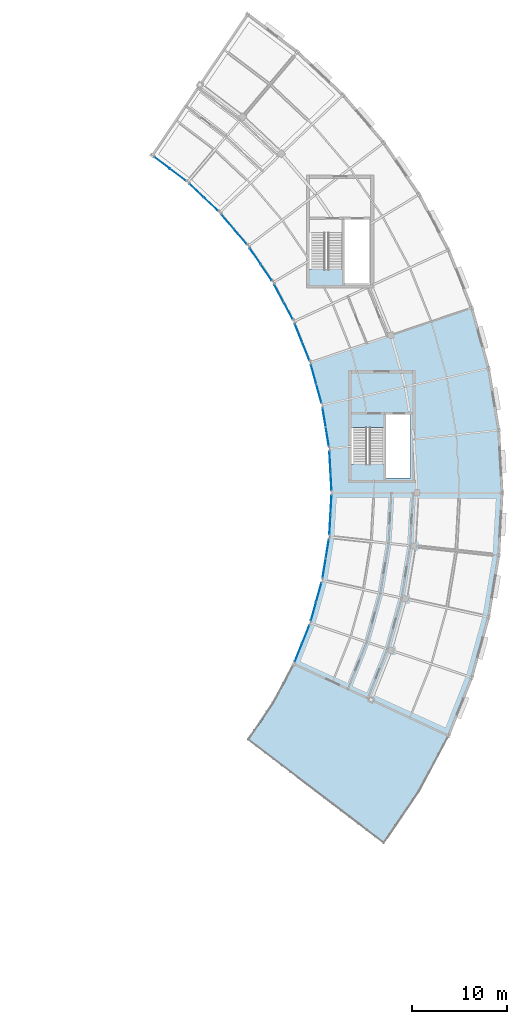
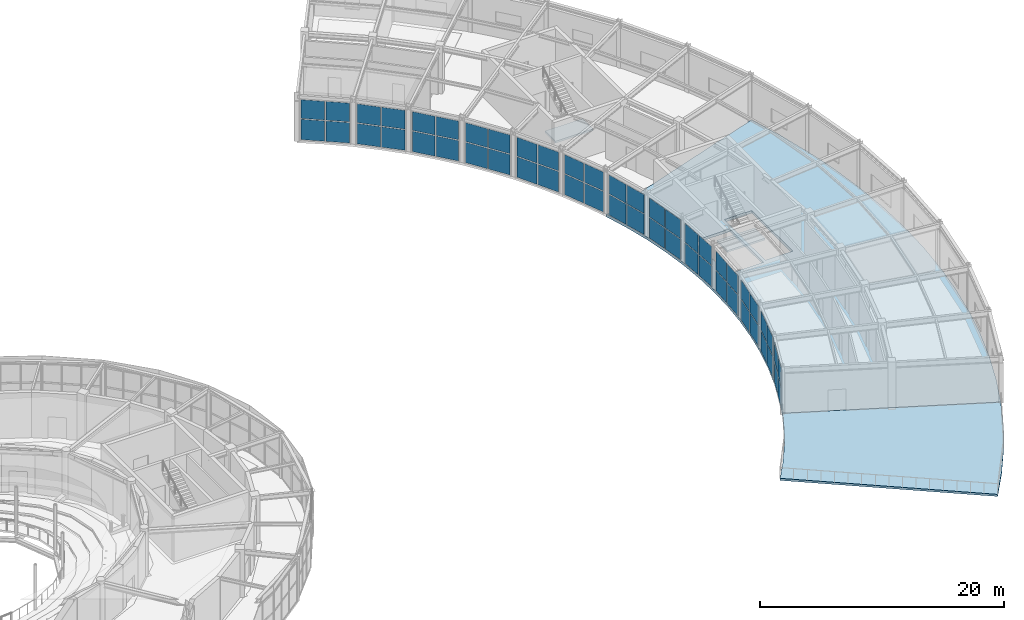
# One storey, part 84 of 108: 52 plates, 4 slabs, 15 elements without a shape of their own.
"""IFC4 building model written with IfcOpenShell, lengths in metres."""

from ifc_helpers import new_model, si_unit, direction, frame, origin, origin_2d, place, context, subcontext, project, spatial, polyline, rectangle, outline, extrude, material, layer, layer_set, type_object, element, aggregate, save


model = new_model("IFC4")

# Units and contexts
model_context = context("Model", 3, precision=1e-05, world=origin(), true_north=direction((0.0, 1.0)))
body_context = subcontext(model_context, "Body", "Model", "MODEL_VIEW")
ifc_project = project(units=[si_unit("LENGTHUNIT", "METRE"), si_unit("AREAUNIT", "SQUARE_METRE"), si_unit("VOLUMEUNIT", "CUBIC_METRE"), si_unit("PLANEANGLEUNIT", "RADIAN"), si_unit("MASSUNIT", "GRAM", prefix="KILO")], contexts=[model_context])

# Site, building, storey
site_placement = place(None, origin())
site = spatial("IfcSite", under=ifc_project, at=site_placement, CompositionType="ELEMENT")
building_placement = place(site_placement, origin())
building = spatial("IfcBuilding", under=site, at=building_placement, Name="Tarnveldt Headland Concert Hall", CompositionType="ELEMENT")
storey_placement = place(building_placement, frame((0.0, 0.0, 9.60009765625)))
storey = spatial("IfcBuildingStorey", under=building, at=storey_placement, Name="L02", CompositionType="ELEMENT", Elevation=9.60009765625)

# Curtain wall, plates
ifc_material_1 = material(Name="Marine-anodised aluminium EN AW-6063-T6", Category="aluminium")
curtain_wall_type = type_object("IfcCurtainWallType", Name="CW-C3", PredefinedType="NOTDEFINED", material=ifc_material_1)
curtain_wall_1_placement = place(storey_placement, origin())
curtain_wall_1 = element("IfcCurtainWall", 1, at=curtain_wall_1_placement, inside=storey, type_object=curtain_wall_type, Name="Curtain wall CW-L02-123", PredefinedType="NOTDEFINED")
ifc_material_2 = material(Name="Acoustic laminated low-iron double glazing", Category="glass")
ifc_layer_1 = layer(ifc_material_2, 0.02392578125, Name="Acoustic laminated low-iron double glazing", Category="glass")
ifc_layer_set_1 = layer_set([ifc_layer_1], Name="Acoustic laminated low-iron double glazing")
plate_type = type_object("IfcPlateType", Name="PN-C3", PredefinedType="CURTAIN_PANEL", material=ifc_layer_set_1)
plate_1_placement = place(storey_placement, frame((156.988525390625, 43.109619140625, 0.08984375), z_axis=(0.0, 0.0, 1.0), x_axis=(0.371027502784, 0.928621877934, 0.0)))
plate_1 = element("IfcPlate", 2, at=plate_1_placement, type_object=plate_type, Name="Glazed panel CW-L02-123-1-1", PredefinedType="CURTAIN_PANEL", context=body_context, shape_type="SweptSolid", body=[
    extrude(rectangle(XDim=1.964599609375, YDim=0.02392578125, at=origin_2d()), origin(), (0.0, 0.0, 1.0), 2.048828125),
])
plate_2_placement = place(storey_placement, frame((156.988525390625, 43.109619140625, 2.21875), z_axis=(0.0, 0.0, 1.0), x_axis=(0.371027502784, 0.928621877934, 0.0)))
plate_2 = element("IfcPlate", 3, at=plate_2_placement, type_object=plate_type, Name="Glazed panel CW-L02-123-1-2", PredefinedType="CURTAIN_PANEL", context=body_context, shape_type="SweptSolid", body=[
    extrude(rectangle(XDim=1.964599609375, YDim=0.02392578125, at=origin_2d()), origin(), (0.0, 0.0, 1.0), 1.881103515625),
])
plate_3_placement = place(storey_placement, frame((157.756103515625, 45.03076171875, 0.08984375), z_axis=(0.0, 0.0, 1.0), x_axis=(0.371027502784, 0.928621877934, 0.0)))
plate_3 = element("IfcPlate", 4, at=plate_3_placement, type_object=plate_type, Name="Glazed panel CW-L02-123-2-1", PredefinedType="CURTAIN_PANEL", context=body_context, shape_type="SweptSolid", body=[
    extrude(rectangle(XDim=1.964599609375, YDim=0.02392578125, at=origin_2d()), origin(), (0.0, 0.0, 1.0), 2.048828125),
])
plate_4_placement = place(storey_placement, frame((157.756103515625, 45.03076171875, 2.21875), z_axis=(0.0, 0.0, 1.0), x_axis=(0.371027502784, 0.928621877934, 0.0)))
plate_4 = element("IfcPlate", 5, at=plate_4_placement, type_object=plate_type, Name="Glazed panel CW-L02-123-2-2", PredefinedType="CURTAIN_PANEL", context=body_context, shape_type="SweptSolid", body=[
    extrude(rectangle(XDim=1.964599609375, YDim=0.02392578125, at=origin_2d()), origin(), (0.0, 0.0, 1.0), 1.881103515625),
])
aggregate(curtain_wall_1, [plate_1, plate_2, plate_3, plate_4])

curtain_wall_2_placement = place(storey_placement, origin())
curtain_wall_2 = element("IfcCurtainWall", 6, at=curtain_wall_2_placement, inside=storey, type_object=curtain_wall_type, Name="Curtain wall CW-L02-124", PredefinedType="NOTDEFINED")
plate_5_placement = place(storey_placement, frame((158.58642578125, 47.489013671875, 0.08984375), z_axis=(0.0, 0.0, 1.0), x_axis=(0.26814645756, 0.963378159031, 0.0)))
plate_5 = element("IfcPlate", 7, at=plate_5_placement, type_object=plate_type, Name="Glazed panel CW-L02-124-1-1", PredefinedType="CURTAIN_PANEL", context=body_context, shape_type="SweptSolid", body=[
    extrude(rectangle(XDim=1.964599609375, YDim=0.02392578125, at=origin_2d()), origin(), (0.0, 0.0, 1.0), 2.048828125),
])
plate_6_placement = place(storey_placement, frame((158.58642578125, 47.489013671875, 2.21875), z_axis=(0.0, 0.0, 1.0), x_axis=(0.26814645756, 0.963378159031, 0.0)))
plate_6 = element("IfcPlate", 8, at=plate_6_placement, type_object=plate_type, Name="Glazed panel CW-L02-124-1-2", PredefinedType="CURTAIN_PANEL", context=body_context, shape_type="SweptSolid", body=[
    extrude(rectangle(XDim=1.964599609375, YDim=0.02392578125, at=origin_2d()), origin(), (0.0, 0.0, 1.0), 1.881103515625),
])
plate_7_placement = place(storey_placement, frame((159.141357421875, 49.48193359375, 0.08984375), z_axis=(0.0, 0.0, 1.0), x_axis=(0.26814645756, 0.963378159031, 0.0)))
plate_7 = element("IfcPlate", 9, at=plate_7_placement, type_object=plate_type, Name="Glazed panel CW-L02-124-2-1", PredefinedType="CURTAIN_PANEL", context=body_context, shape_type="SweptSolid", body=[
    extrude(rectangle(XDim=1.964599609375, YDim=0.02392578125, at=origin_2d()), origin(), (0.0, 0.0, 1.0), 2.048828125),
])
plate_8_placement = place(storey_placement, frame((159.141357421875, 49.48193359375, 2.21875), z_axis=(0.0, 0.0, 1.0), x_axis=(0.26814645756, 0.963378159031, 0.0)))
plate_8 = element("IfcPlate", 10, at=plate_8_placement, type_object=plate_type, Name="Glazed panel CW-L02-124-2-2", PredefinedType="CURTAIN_PANEL", context=body_context, shape_type="SweptSolid", body=[
    extrude(rectangle(XDim=1.964599609375, YDim=0.02392578125, at=origin_2d()), origin(), (0.0, 0.0, 1.0), 1.881103515625),
])
aggregate(curtain_wall_2, [plate_5, plate_6, plate_7, plate_8])

curtain_wall_3_placement = place(storey_placement, origin())
curtain_wall_3 = element("IfcCurtainWall", 11, at=curtain_wall_3_placement, inside=storey, type_object=curtain_wall_type, Name="Curtain wall CW-L02-125", PredefinedType="NOTDEFINED")
plate_9_placement = place(storey_placement, frame((159.700439453125, 52.01611328125, 0.08984375), z_axis=(0.0, 0.0, 1.0), x_axis=(0.162172182357, 0.986762475609, 0.0)))
plate_9 = element("IfcPlate", 12, at=plate_9_placement, type_object=plate_type, Name="Glazed panel CW-L02-125-1-1", PredefinedType="CURTAIN_PANEL", context=body_context, shape_type="SweptSolid", body=[
    extrude(rectangle(XDim=1.964599609375, YDim=0.02392578125, at=origin_2d()), origin(), (0.0, 0.0, 1.0), 2.048828125),
])
plate_10_placement = place(storey_placement, frame((159.700439453125, 52.01611328125, 2.21875), z_axis=(0.0, 0.0, 1.0), x_axis=(0.162172182357, 0.986762475609, 0.0)))
plate_10 = element("IfcPlate", 13, at=plate_10_placement, type_object=plate_type, Name="Glazed panel CW-L02-125-1-2", PredefinedType="CURTAIN_PANEL", context=body_context, shape_type="SweptSolid", body=[
    extrude(rectangle(XDim=1.964599609375, YDim=0.02392578125, at=origin_2d()), origin(), (0.0, 0.0, 1.0), 1.881103515625),
])
plate_11_placement = place(storey_placement, frame((160.035888671875, 54.05712890625, 0.08984375), z_axis=(0.0, 0.0, 1.0), x_axis=(0.162172182357, 0.986762475609, 0.0)))
plate_11 = element("IfcPlate", 14, at=plate_11_placement, type_object=plate_type, Name="Glazed panel CW-L02-125-2-1", PredefinedType="CURTAIN_PANEL", context=body_context, shape_type="SweptSolid", body=[
    extrude(rectangle(XDim=1.964599609375, YDim=0.02392578125, at=origin_2d()), origin(), (0.0, 0.0, 1.0), 2.048828125),
])
plate_12_placement = place(storey_placement, frame((160.035888671875, 54.05712890625, 2.21875), z_axis=(0.0, 0.0, 1.0), x_axis=(0.162172182357, 0.986762475609, 0.0)))
plate_12 = element("IfcPlate", 15, at=plate_12_placement, type_object=plate_type, Name="Glazed panel CW-L02-125-2-2", PredefinedType="CURTAIN_PANEL", context=body_context, shape_type="SweptSolid", body=[
    extrude(rectangle(XDim=1.964599609375, YDim=0.02392578125, at=origin_2d()), origin(), (0.0, 0.0, 1.0), 1.881103515625),
])
aggregate(curtain_wall_3, [plate_9, plate_10, plate_11, plate_12])

curtain_wall_4_placement = place(storey_placement, origin())
curtain_wall_4 = element("IfcCurtainWall", 16, at=curtain_wall_4_placement, inside=storey, type_object=curtain_wall_type, Name="Curtain wall CW-L02-126", PredefinedType="NOTDEFINED")
plate_13_placement = place(storey_placement, frame((160.317138671875, 56.63671875, 0.08984375), z_axis=(0.0, 0.0, 1.0), x_axis=(0.054253089686, 0.998527216584, 0.0)))
plate_13 = element("IfcPlate", 17, at=plate_13_placement, type_object=plate_type, Name="Glazed panel CW-L02-126-1-1", PredefinedType="CURTAIN_PANEL", context=body_context, shape_type="SweptSolid", body=[
    extrude(rectangle(XDim=1.964599609375, YDim=0.02392578125, at=origin_2d()), origin(), (0.0, 0.0, 1.0), 2.048828125),
])
plate_14_placement = place(storey_placement, frame((160.317138671875, 56.63671875, 2.21875), z_axis=(0.0, 0.0, 1.0), x_axis=(0.054253089686, 0.998527216584, 0.0)))
plate_14 = element("IfcPlate", 18, at=plate_14_placement, type_object=plate_type, Name="Glazed panel CW-L02-126-1-2", PredefinedType="CURTAIN_PANEL", context=body_context, shape_type="SweptSolid", body=[
    extrude(rectangle(XDim=1.964599609375, YDim=0.02392578125, at=origin_2d()), origin(), (0.0, 0.0, 1.0), 1.881103515625),
])
plate_15_placement = place(storey_placement, frame((160.429443359375, 58.70263671875, 0.08984375), z_axis=(0.0, 0.0, 1.0), x_axis=(0.054253089686, 0.998527216584, 0.0)))
plate_15 = element("IfcPlate", 19, at=plate_15_placement, type_object=plate_type, Name="Glazed panel CW-L02-126-2-1", PredefinedType="CURTAIN_PANEL", context=body_context, shape_type="SweptSolid", body=[
    extrude(rectangle(XDim=1.964599609375, YDim=0.02392578125, at=origin_2d()), origin(), (0.0, 0.0, 1.0), 2.048828125),
])
plate_16_placement = place(storey_placement, frame((160.429443359375, 58.70263671875, 2.21875), z_axis=(0.0, 0.0, 1.0), x_axis=(0.054253089686, 0.998527216584, 0.0)))
plate_16 = element("IfcPlate", 20, at=plate_16_placement, type_object=plate_type, Name="Glazed panel CW-L02-126-2-2", PredefinedType="CURTAIN_PANEL", context=body_context, shape_type="SweptSolid", body=[
    extrude(rectangle(XDim=1.964599609375, YDim=0.02392578125, at=origin_2d()), origin(), (0.0, 0.0, 1.0), 1.881103515625),
])
aggregate(curtain_wall_4, [plate_13, plate_14, plate_15, plate_16])

curtain_wall_5_placement = place(storey_placement, origin())
curtain_wall_5 = element("IfcCurtainWall", 21, at=curtain_wall_5_placement, inside=storey, type_object=curtain_wall_type, Name="Curtain wall CW-L02-127", PredefinedType="NOTDEFINED")
plate_17_placement = place(storey_placement, frame((160.429443359375, 61.29736328125, 0.08984375), z_axis=(0.0, 0.0, 1.0), x_axis=(-0.054253089686, 0.998527216584, 0.0)))
plate_17 = element("IfcPlate", 22, at=plate_17_placement, type_object=plate_type, Name="Glazed panel CW-L02-127-1-1", PredefinedType="CURTAIN_PANEL", context=body_context, shape_type="SweptSolid", body=[
    extrude(rectangle(XDim=1.964599609375, YDim=0.02392578125, at=origin_2d()), origin(), (0.0, 0.0, 1.0), 2.048828125),
])
plate_18_placement = place(storey_placement, frame((160.429443359375, 61.29736328125, 2.21875), z_axis=(0.0, 0.0, 1.0), x_axis=(-0.054253089686, 0.998527216584, 0.0)))
plate_18 = element("IfcPlate", 23, at=plate_18_placement, type_object=plate_type, Name="Glazed panel CW-L02-127-1-2", PredefinedType="CURTAIN_PANEL", context=body_context, shape_type="SweptSolid", body=[
    extrude(rectangle(XDim=1.964599609375, YDim=0.02392578125, at=origin_2d()), origin(), (0.0, 0.0, 1.0), 1.881103515625),
])
plate_19_placement = place(storey_placement, frame((160.317138671875, 63.36328125, 0.08984375), z_axis=(0.0, 0.0, 1.0), x_axis=(-0.054253089686, 0.998527216584, 0.0)))
plate_19 = element("IfcPlate", 24, at=plate_19_placement, type_object=plate_type, Name="Glazed panel CW-L02-127-2-1", PredefinedType="CURTAIN_PANEL", context=body_context, shape_type="SweptSolid", body=[
    extrude(rectangle(XDim=1.964599609375, YDim=0.02392578125, at=origin_2d()), origin(), (0.0, 0.0, 1.0), 2.048828125),
])
plate_20_placement = place(storey_placement, frame((160.317138671875, 63.36328125, 2.21875), z_axis=(0.0, 0.0, 1.0), x_axis=(-0.054253089686, 0.998527216584, 0.0)))
plate_20 = element("IfcPlate", 25, at=plate_20_placement, type_object=plate_type, Name="Glazed panel CW-L02-127-2-2", PredefinedType="CURTAIN_PANEL", context=body_context, shape_type="SweptSolid", body=[
    extrude(rectangle(XDim=1.964599609375, YDim=0.02392578125, at=origin_2d()), origin(), (0.0, 0.0, 1.0), 1.881103515625),
])
aggregate(curtain_wall_5, [plate_17, plate_18, plate_19, plate_20])

curtain_wall_6_placement = place(storey_placement, origin())
curtain_wall_6 = element("IfcCurtainWall", 26, at=curtain_wall_6_placement, inside=storey, type_object=curtain_wall_type, Name="Curtain wall CW-L02-128", PredefinedType="NOTDEFINED")
plate_21_placement = place(storey_placement, frame((160.035888671875, 65.94287109375, 0.08984375), z_axis=(0.0, 0.0, 1.0), x_axis=(-0.162172182357, 0.986762475609, 0.0)))
plate_21 = element("IfcPlate", 27, at=plate_21_placement, type_object=plate_type, Name="Glazed panel CW-L02-128-1-1", PredefinedType="CURTAIN_PANEL", context=body_context, shape_type="SweptSolid", body=[
    extrude(rectangle(XDim=1.964599609375, YDim=0.02392578125, at=origin_2d()), origin(), (0.0, 0.0, 1.0), 2.048828125),
])
plate_22_placement = place(storey_placement, frame((160.035888671875, 65.94287109375, 2.21875), z_axis=(0.0, 0.0, 1.0), x_axis=(-0.162172182357, 0.986762475609, 0.0)))
plate_22 = element("IfcPlate", 28, at=plate_22_placement, type_object=plate_type, Name="Glazed panel CW-L02-128-1-2", PredefinedType="CURTAIN_PANEL", context=body_context, shape_type="SweptSolid", body=[
    extrude(rectangle(XDim=1.964599609375, YDim=0.02392578125, at=origin_2d()), origin(), (0.0, 0.0, 1.0), 1.881103515625),
])
plate_23_placement = place(storey_placement, frame((159.700439453125, 67.98388671875, 0.08984375), z_axis=(0.0, 0.0, 1.0), x_axis=(-0.162172182357, 0.986762475609, 0.0)))
plate_23 = element("IfcPlate", 29, at=plate_23_placement, type_object=plate_type, Name="Glazed panel CW-L02-128-2-1", PredefinedType="CURTAIN_PANEL", context=body_context, shape_type="SweptSolid", body=[
    extrude(rectangle(XDim=1.964599609375, YDim=0.02392578125, at=origin_2d()), origin(), (0.0, 0.0, 1.0), 2.048828125),
])
plate_24_placement = place(storey_placement, frame((159.700439453125, 67.98388671875, 2.21875), z_axis=(0.0, 0.0, 1.0), x_axis=(-0.162172182357, 0.986762475609, 0.0)))
plate_24 = element("IfcPlate", 30, at=plate_24_placement, type_object=plate_type, Name="Glazed panel CW-L02-128-2-2", PredefinedType="CURTAIN_PANEL", context=body_context, shape_type="SweptSolid", body=[
    extrude(rectangle(XDim=1.964599609375, YDim=0.02392578125, at=origin_2d()), origin(), (0.0, 0.0, 1.0), 1.881103515625),
])
aggregate(curtain_wall_6, [plate_21, plate_22, plate_23, plate_24])

curtain_wall_7_placement = place(storey_placement, origin())
curtain_wall_7 = element("IfcCurtainWall", 31, at=curtain_wall_7_placement, inside=storey, type_object=curtain_wall_type, Name="Curtain wall CW-L02-129", PredefinedType="NOTDEFINED")
plate_25_placement = place(storey_placement, frame((159.141357421875, 70.51806640625, 0.08984375), z_axis=(0.0, 0.0, 1.0), x_axis=(-0.26814645756, 0.963378159031, 0.0)))
plate_25 = element("IfcPlate", 32, at=plate_25_placement, type_object=plate_type, Name="Glazed panel CW-L02-129-1-1", PredefinedType="CURTAIN_PANEL", context=body_context, shape_type="SweptSolid", body=[
    extrude(rectangle(XDim=1.964599609375, YDim=0.02392578125, at=origin_2d()), origin(), (0.0, 0.0, 1.0), 2.048828125),
])
plate_26_placement = place(storey_placement, frame((159.141357421875, 70.51806640625, 2.21875), z_axis=(0.0, 0.0, 1.0), x_axis=(-0.26814645756, 0.963378159031, 0.0)))
plate_26 = element("IfcPlate", 33, at=plate_26_placement, type_object=plate_type, Name="Glazed panel CW-L02-129-1-2", PredefinedType="CURTAIN_PANEL", context=body_context, shape_type="SweptSolid", body=[
    extrude(rectangle(XDim=1.964599609375, YDim=0.02392578125, at=origin_2d()), origin(), (0.0, 0.0, 1.0), 1.881103515625),
])
plate_27_placement = place(storey_placement, frame((158.58642578125, 72.510986328125, 0.08984375), z_axis=(0.0, 0.0, 1.0), x_axis=(-0.26814645756, 0.963378159031, 0.0)))
plate_27 = element("IfcPlate", 34, at=plate_27_placement, type_object=plate_type, Name="Glazed panel CW-L02-129-2-1", PredefinedType="CURTAIN_PANEL", context=body_context, shape_type="SweptSolid", body=[
    extrude(rectangle(XDim=1.964599609375, YDim=0.02392578125, at=origin_2d()), origin(), (0.0, 0.0, 1.0), 2.048828125),
])
plate_28_placement = place(storey_placement, frame((158.58642578125, 72.510986328125, 2.21875), z_axis=(0.0, 0.0, 1.0), x_axis=(-0.26814645756, 0.963378159031, 0.0)))
plate_28 = element("IfcPlate", 35, at=plate_28_placement, type_object=plate_type, Name="Glazed panel CW-L02-129-2-2", PredefinedType="CURTAIN_PANEL", context=body_context, shape_type="SweptSolid", body=[
    extrude(rectangle(XDim=1.964599609375, YDim=0.02392578125, at=origin_2d()), origin(), (0.0, 0.0, 1.0), 1.881103515625),
])
aggregate(curtain_wall_7, [plate_25, plate_26, plate_27, plate_28])

curtain_wall_8_placement = place(storey_placement, origin())
curtain_wall_8 = element("IfcCurtainWall", 36, at=curtain_wall_8_placement, inside=storey, type_object=curtain_wall_type, Name="Curtain wall CW-L02-130", PredefinedType="NOTDEFINED")
plate_29_placement = place(storey_placement, frame((157.756103515625, 74.96923828125, 0.08984375), z_axis=(0.0, 0.0, 1.0), x_axis=(-0.371027502784, 0.928621877934, 0.0)))
plate_29 = element("IfcPlate", 37, at=plate_29_placement, type_object=plate_type, Name="Glazed panel CW-L02-130-1-1", PredefinedType="CURTAIN_PANEL", context=body_context, shape_type="SweptSolid", body=[
    extrude(rectangle(XDim=1.964599609375, YDim=0.02392578125, at=origin_2d()), origin(), (0.0, 0.0, 1.0), 2.048828125),
])
plate_30_placement = place(storey_placement, frame((157.756103515625, 74.96923828125, 2.21875), z_axis=(0.0, 0.0, 1.0), x_axis=(-0.371027502784, 0.928621877934, 0.0)))
plate_30 = element("IfcPlate", 38, at=plate_30_placement, type_object=plate_type, Name="Glazed panel CW-L02-130-1-2", PredefinedType="CURTAIN_PANEL", context=body_context, shape_type="SweptSolid", body=[
    extrude(rectangle(XDim=1.964599609375, YDim=0.02392578125, at=origin_2d()), origin(), (0.0, 0.0, 1.0), 1.881103515625),
])
plate_31_placement = place(storey_placement, frame((156.988525390625, 76.890380859375, 0.08984375), z_axis=(0.0, 0.0, 1.0), x_axis=(-0.371027502784, 0.928621877934, 0.0)))
plate_31 = element("IfcPlate", 39, at=plate_31_placement, type_object=plate_type, Name="Glazed panel CW-L02-130-2-1", PredefinedType="CURTAIN_PANEL", context=body_context, shape_type="SweptSolid", body=[
    extrude(rectangle(XDim=1.964599609375, YDim=0.02392578125, at=origin_2d()), origin(), (0.0, 0.0, 1.0), 2.048828125),
])
plate_32_placement = place(storey_placement, frame((156.988525390625, 76.890380859375, 2.21875), z_axis=(0.0, 0.0, 1.0), x_axis=(-0.371027502784, 0.928621877934, 0.0)))
plate_32 = element("IfcPlate", 40, at=plate_32_placement, type_object=plate_type, Name="Glazed panel CW-L02-130-2-2", PredefinedType="CURTAIN_PANEL", context=body_context, shape_type="SweptSolid", body=[
    extrude(rectangle(XDim=1.964599609375, YDim=0.02392578125, at=origin_2d()), origin(), (0.0, 0.0, 1.0), 1.881103515625),
])
aggregate(curtain_wall_8, [plate_29, plate_30, plate_31, plate_32])

curtain_wall_9_placement = place(storey_placement, origin())
curtain_wall_9 = element("IfcCurtainWall", 41, at=curtain_wall_9_placement, inside=storey, type_object=curtain_wall_type, Name="Curtain wall CW-L02-131", PredefinedType="NOTDEFINED")
plate_33_placement = place(storey_placement, frame((155.896484375, 79.244384765625, 0.08984375), z_axis=(0.0, 0.0, 1.0), x_axis=(-0.469471562786, 0.882947592859, 0.0)))
plate_33 = element("IfcPlate", 42, at=plate_33_placement, type_object=plate_type, Name="Glazed panel CW-L02-131-1-1", PredefinedType="CURTAIN_PANEL", context=body_context, shape_type="SweptSolid", body=[
    extrude(rectangle(XDim=1.964599609375, YDim=0.02392578125, at=origin_2d()), origin(), (0.0, 0.0, 1.0), 2.048828125),
])
plate_34_placement = place(storey_placement, frame((155.896484375, 79.244384765625, 2.21875), z_axis=(0.0, 0.0, 1.0), x_axis=(-0.469471562786, 0.882947592859, 0.0)))
plate_34 = element("IfcPlate", 43, at=plate_34_placement, type_object=plate_type, Name="Glazed panel CW-L02-131-1-2", PredefinedType="CURTAIN_PANEL", context=body_context, shape_type="SweptSolid", body=[
    extrude(rectangle(XDim=1.964599609375, YDim=0.02392578125, at=origin_2d()), origin(), (0.0, 0.0, 1.0), 1.881103515625),
])
plate_35_placement = place(storey_placement, frame((154.92529296875, 81.07080078125, 0.08984375), z_axis=(0.0, 0.0, 1.0), x_axis=(-0.469471562786, 0.882947592859, 0.0)))
plate_35 = element("IfcPlate", 44, at=plate_35_placement, type_object=plate_type, Name="Glazed panel CW-L02-131-2-1", PredefinedType="CURTAIN_PANEL", context=body_context, shape_type="SweptSolid", body=[
    extrude(rectangle(XDim=1.964599609375, YDim=0.02392578125, at=origin_2d()), origin(), (0.0, 0.0, 1.0), 2.048828125),
])
plate_36_placement = place(storey_placement, frame((154.92529296875, 81.07080078125, 2.21875), z_axis=(0.0, 0.0, 1.0), x_axis=(-0.469471562786, 0.882947592859, 0.0)))
plate_36 = element("IfcPlate", 45, at=plate_36_placement, type_object=plate_type, Name="Glazed panel CW-L02-131-2-2", PredefinedType="CURTAIN_PANEL", context=body_context, shape_type="SweptSolid", body=[
    extrude(rectangle(XDim=1.964599609375, YDim=0.02392578125, at=origin_2d()), origin(), (0.0, 0.0, 1.0), 1.881103515625),
])
aggregate(curtain_wall_9, [plate_33, plate_34, plate_35, plate_36])

curtain_wall_10_placement = place(storey_placement, origin())
curtain_wall_10 = element("IfcCurtainWall", 46, at=curtain_wall_10_placement, inside=storey, type_object=curtain_wall_type, Name="Curtain wall CW-L02-132", PredefinedType="NOTDEFINED")
plate_37_placement = place(storey_placement, frame((153.58447265625, 83.29248046875, 0.08984375), z_axis=(0.0, 0.0, 1.0), x_axis=(-0.562415343977, 0.826854872913, 0.0)))
plate_37 = element("IfcPlate", 47, at=plate_37_placement, type_object=plate_type, Name="Glazed panel CW-L02-132-1-1", PredefinedType="CURTAIN_PANEL", context=body_context, shape_type="SweptSolid", body=[
    extrude(rectangle(XDim=1.964599609375, YDim=0.02392578125, at=origin_2d()), origin(), (0.0, 0.0, 1.0), 2.048828125),
])
plate_38_placement = place(storey_placement, frame((153.58447265625, 83.29248046875, 2.21875), z_axis=(0.0, 0.0, 1.0), x_axis=(-0.562415343977, 0.826854872913, 0.0)))
plate_38 = element("IfcPlate", 48, at=plate_38_placement, type_object=plate_type, Name="Glazed panel CW-L02-132-1-2", PredefinedType="CURTAIN_PANEL", context=body_context, shape_type="SweptSolid", body=[
    extrude(rectangle(XDim=1.964599609375, YDim=0.02392578125, at=origin_2d()), origin(), (0.0, 0.0, 1.0), 1.881103515625),
])
plate_39_placement = place(storey_placement, frame((152.4208984375, 85.0029296875, 0.08984375), z_axis=(0.0, 0.0, 1.0), x_axis=(-0.562415343977, 0.826854872913, 0.0)))
plate_39 = element("IfcPlate", 49, at=plate_39_placement, type_object=plate_type, Name="Glazed panel CW-L02-132-2-1", PredefinedType="CURTAIN_PANEL", context=body_context, shape_type="SweptSolid", body=[
    extrude(rectangle(XDim=1.964599609375, YDim=0.02392578125, at=origin_2d()), origin(), (0.0, 0.0, 1.0), 2.048828125),
])
plate_40_placement = place(storey_placement, frame((152.4208984375, 85.0029296875, 2.21875), z_axis=(0.0, 0.0, 1.0), x_axis=(-0.562415343977, 0.826854872913, 0.0)))
plate_40 = element("IfcPlate", 50, at=plate_40_placement, type_object=plate_type, Name="Glazed panel CW-L02-132-2-2", PredefinedType="CURTAIN_PANEL", context=body_context, shape_type="SweptSolid", body=[
    extrude(rectangle(XDim=1.964599609375, YDim=0.02392578125, at=origin_2d()), origin(), (0.0, 0.0, 1.0), 1.881103515625),
])
aggregate(curtain_wall_10, [plate_37, plate_38, plate_39, plate_40])

curtain_wall_11_placement = place(storey_placement, origin())
curtain_wall_11 = element("IfcCurtainWall", 51, at=curtain_wall_11_placement, inside=storey, type_object=curtain_wall_type, Name="Curtain wall CW-L02-133", PredefinedType="NOTDEFINED")
plate_41_placement = place(storey_placement, frame((150.847412109375, 87.06640625, 0.08984375), z_axis=(0.0, 0.0, 1.0), x_axis=(-0.648717811893, 0.761029040532, 0.0)))
plate_41 = element("IfcPlate", 52, at=plate_41_placement, type_object=plate_type, Name="Glazed panel CW-L02-133-1-1", PredefinedType="CURTAIN_PANEL", context=body_context, shape_type="SweptSolid", body=[
    extrude(rectangle(XDim=1.964599609375, YDim=0.02392578125, at=origin_2d()), origin(), (0.0, 0.0, 1.0), 2.048828125),
])
plate_42_placement = place(storey_placement, frame((150.847412109375, 87.06640625, 2.21875), z_axis=(0.0, 0.0, 1.0), x_axis=(-0.648717811893, 0.761029040532, 0.0)))
plate_42 = element("IfcPlate", 53, at=plate_42_placement, type_object=plate_type, Name="Glazed panel CW-L02-133-1-2", PredefinedType="CURTAIN_PANEL", context=body_context, shape_type="SweptSolid", body=[
    extrude(rectangle(XDim=1.964599609375, YDim=0.02392578125, at=origin_2d()), origin(), (0.0, 0.0, 1.0), 1.881103515625),
])
plate_43_placement = place(storey_placement, frame((149.50537109375, 88.640625, 0.08984375), z_axis=(0.0, 0.0, 1.0), x_axis=(-0.648717811893, 0.761029040532, 0.0)))
plate_43 = element("IfcPlate", 54, at=plate_43_placement, type_object=plate_type, Name="Glazed panel CW-L02-133-2-1", PredefinedType="CURTAIN_PANEL", context=body_context, shape_type="SweptSolid", body=[
    extrude(rectangle(XDim=1.964599609375, YDim=0.02392578125, at=origin_2d()), origin(), (0.0, 0.0, 1.0), 2.048828125),
])
plate_44_placement = place(storey_placement, frame((149.50537109375, 88.640625, 2.21875), z_axis=(0.0, 0.0, 1.0), x_axis=(-0.648717811893, 0.761029040532, 0.0)))
plate_44 = element("IfcPlate", 55, at=plate_44_placement, type_object=plate_type, Name="Glazed panel CW-L02-133-2-2", PredefinedType="CURTAIN_PANEL", context=body_context, shape_type="SweptSolid", body=[
    extrude(rectangle(XDim=1.964599609375, YDim=0.02392578125, at=origin_2d()), origin(), (0.0, 0.0, 1.0), 1.881103515625),
])
aggregate(curtain_wall_11, [plate_41, plate_42, plate_43, plate_44])

curtain_wall_12_placement = place(storey_placement, origin())
curtain_wall_12 = element("IfcCurtainWall", 56, at=curtain_wall_12_placement, inside=storey, type_object=curtain_wall_type, Name="Curtain wall CW-L02-134", PredefinedType="NOTDEFINED")
plate_45_placement = place(storey_placement, frame((147.71728515625, 90.521240234375, 0.08984375), z_axis=(0.0, 0.0, 1.0), x_axis=(-0.727377633953, 0.686237406169, 0.0)))
plate_45 = element("IfcPlate", 57, at=plate_45_placement, type_object=plate_type, Name="Glazed panel CW-L02-134-1-1", PredefinedType="CURTAIN_PANEL", context=body_context, shape_type="SweptSolid", body=[
    extrude(rectangle(XDim=1.964599609375, YDim=0.02392578125, at=origin_2d()), origin(), (0.0, 0.0, 1.0), 2.048828125),
])
plate_46_placement = place(storey_placement, frame((147.71728515625, 90.521240234375, 2.21875), z_axis=(0.0, 0.0, 1.0), x_axis=(-0.727377633953, 0.686237406169, 0.0)))
plate_46 = element("IfcPlate", 58, at=plate_46_placement, type_object=plate_type, Name="Glazed panel CW-L02-134-1-2", PredefinedType="CURTAIN_PANEL", context=body_context, shape_type="SweptSolid", body=[
    extrude(rectangle(XDim=1.964599609375, YDim=0.02392578125, at=origin_2d()), origin(), (0.0, 0.0, 1.0), 1.881103515625),
])
plate_47_placement = place(storey_placement, frame((146.21240234375, 91.94091796875, 0.08984375), z_axis=(0.0, 0.0, 1.0), x_axis=(-0.727377633953, 0.686237406169, 0.0)))
plate_47 = element("IfcPlate", 59, at=plate_47_placement, type_object=plate_type, Name="Glazed panel CW-L02-134-2-1", PredefinedType="CURTAIN_PANEL", context=body_context, shape_type="SweptSolid", body=[
    extrude(rectangle(XDim=1.964599609375, YDim=0.02392578125, at=origin_2d()), origin(), (0.0, 0.0, 1.0), 2.048828125),
])
plate_48_placement = place(storey_placement, frame((146.21240234375, 91.94091796875, 2.21875), z_axis=(0.0, 0.0, 1.0), x_axis=(-0.727377633953, 0.686237406169, 0.0)))
plate_48 = element("IfcPlate", 60, at=plate_48_placement, type_object=plate_type, Name="Glazed panel CW-L02-134-2-2", PredefinedType="CURTAIN_PANEL", context=body_context, shape_type="SweptSolid", body=[
    extrude(rectangle(XDim=1.964599609375, YDim=0.02392578125, at=origin_2d()), origin(), (0.0, 0.0, 1.0), 1.881103515625),
])
aggregate(curtain_wall_12, [plate_45, plate_46, plate_47, plate_48])

curtain_wall_13_placement = place(storey_placement, origin())
curtain_wall_13 = element("IfcCurtainWall", 61, at=curtain_wall_13_placement, inside=storey, type_object=curtain_wall_type, Name="Curtain wall CW-L02-135", PredefinedType="NOTDEFINED")
plate_49_placement = place(storey_placement, frame((144.231201171875, 93.616455078125, 0.08984375), z_axis=(0.0, 0.0, 1.0), x_axis=(-0.797478637023, 0.603347183213, 0.0)))
plate_49 = element("IfcPlate", 62, at=plate_49_placement, type_object=plate_type, Name="Glazed panel CW-L02-135-1-1", PredefinedType="CURTAIN_PANEL", context=body_context, shape_type="SweptSolid", body=[
    extrude(rectangle(XDim=1.964599609375, YDim=0.02392578125, at=origin_2d()), origin(), (0.0, 0.0, 1.0), 2.048828125),
])
plate_50_placement = place(storey_placement, frame((144.231201171875, 93.616455078125, 2.21875), z_axis=(0.0, 0.0, 1.0), x_axis=(-0.797478637023, 0.603347183213, 0.0)))
plate_50 = element("IfcPlate", 63, at=plate_50_placement, type_object=plate_type, Name="Glazed panel CW-L02-135-1-2", PredefinedType="CURTAIN_PANEL", context=body_context, shape_type="SweptSolid", body=[
    extrude(rectangle(XDim=1.964599609375, YDim=0.02392578125, at=origin_2d()), origin(), (0.0, 0.0, 1.0), 1.881103515625),
])
plate_51_placement = place(storey_placement, frame((142.58154296875, 94.864501953125, 0.08984375), z_axis=(0.0, 0.0, 1.0), x_axis=(-0.797478637023, 0.603347183213, 0.0)))
plate_51 = element("IfcPlate", 64, at=plate_51_placement, type_object=plate_type, Name="Glazed panel CW-L02-135-2-1", PredefinedType="CURTAIN_PANEL", context=body_context, shape_type="SweptSolid", body=[
    extrude(rectangle(XDim=1.964599609375, YDim=0.02392578125, at=origin_2d()), origin(), (0.0, 0.0, 1.0), 2.048828125),
])
plate_52_placement = place(storey_placement, frame((142.58154296875, 94.864501953125, 2.21875), z_axis=(0.0, 0.0, 1.0), x_axis=(-0.797478637023, 0.603347183213, 0.0)))
plate_52 = element("IfcPlate", 65, at=plate_52_placement, type_object=plate_type, Name="Glazed panel CW-L02-135-2-2", PredefinedType="CURTAIN_PANEL", context=body_context, shape_type="SweptSolid", body=[
    extrude(rectangle(XDim=1.964599609375, YDim=0.02392578125, at=origin_2d()), origin(), (0.0, 0.0, 1.0), 1.881103515625),
])
aggregate(curtain_wall_13, [plate_49, plate_50, plate_51, plate_52])

# Slab
ifc_material_3 = material(Name="Concrete C40/50", Category="concrete")
ifc_layer_2 = layer(ifc_material_3, 0.260009765625, Name="Concrete C40/50", Category="concrete")
ifc_layer_set_2 = layer_set([ifc_layer_2], Name="Concrete C40/50")
slab_type_1 = type_object("IfcSlabType", Name="SL-FL260", PredefinedType="FLOOR", material=ifc_layer_set_2)
slab_1_placement = place(storey_placement, frame((0.0, 0.0, -0.260009765625)))
element("IfcSlab", 66, at=slab_1_placement, inside=storey, type_object=slab_type_1, Name="Crescent wing floor slab L02 sector 1", PredefinedType="FLOOR", context=body_context, shape_type="SweptSolid", body=[
    extrude(outline(polyline([(157.43115234375, 44.046630859375), (156.50634765625, 41.903076171875), (172.834716796875, 34.327392578125), (174.146484375, 37.368408203125), (175.291259765625, 40.476318359375), (176.265625, 43.6416015625), (177.06689453125, 46.85498046875), (177.6923828125, 50.107177734375), (178.140625, 53.388427734375), (178.41015625, 56.689453125), (178.5, 60.0), (178.41015625, 63.310546875), (178.140625, 66.611572265625), (177.6923828125, 69.892822265625), (177.06689453125, 73.14501953125), (176.265625, 76.3583984375), (175.291259765625, 79.523681640625), (158.238037109375, 73.7626953125), (158.9248046875, 71.531494140625), (159.48974609375, 69.26611328125), (159.9306640625, 66.9736328125), (160.24658203125, 64.66064453125), (160.4365234375, 62.333740234375), (160.5, 60.0), (160.4365234375, 57.666259765625), (160.24658203125, 55.33935546875), (159.9306640625, 53.0263671875), (159.48974609375, 50.73388671875), (158.9248046875, 48.468505859375), (158.238037109375, 46.2373046875), (157.43115234375, 44.046630859375)]), holes=[polyline([(162.580078125, 66.8798828125), (165.9599609375, 66.8798828125), (165.9599609375, 61.3798828125), (162.580078125, 61.3798828125), (162.580078125, 66.8798828125)]), polyline([(168.840087890625, 68.260009765625), (168.840087890625, 61.56005859375), (166.239990234375, 61.56005859375), (166.239990234375, 68.260009765625), (168.840087890625, 68.260009765625)])]), origin(), (0.0, 0.0, 1.0), 0.260009765625),
])

# Stair, slab
stair_type = type_object("IfcStairType", Name="ST-CORE480", PredefinedType="HALF_TURN_STAIR", material=ifc_material_3)
stair_1_placement = place(storey_placement, origin())
stair_1 = element("IfcStair", 67, at=stair_1_placement, inside=storey, type_object=stair_type, Name="Exit stair STR-C3-L02", PredefinedType="HALF_TURN_STAIR")
ifc_layer_3 = layer(ifc_material_3, 0.179931640625, Name="Concrete C40/50", Category="concrete")
ifc_layer_set_3 = layer_set([ifc_layer_3], Name="Concrete C40/50")
slab_type_2 = type_object("IfcSlabType", Name="SL-STLND180", PredefinedType="LANDING", material=ifc_layer_set_3)
slab_2_placement = place(storey_placement, frame((0.0, 0.0, 2.219970703125)))
slab_2 = element("IfcSlab", 68, at=slab_2_placement, type_object=slab_type_2, Name="Stair half-landing STR-C3-L02", PredefinedType="LANDING", context=body_context, shape_type="SweptSolid", body=[
    extrude(outline(polyline([(158.1201171875, 81.919921875), (161.679931640625, 81.919921875), (161.679931640625, 83.639892578125), (158.1201171875, 83.639892578125), (158.1201171875, 81.919921875)])), origin(), (0.0, 0.0, 1.0), 0.179931640625),
])
aggregate(stair_1, [slab_2])

stair_2_placement = place(storey_placement, origin())
stair_2 = element("IfcStair", 69, at=stair_2_placement, inside=storey, type_object=stair_type, Name="Exit stair STR-C4-L02", PredefinedType="HALF_TURN_STAIR")
slab_3_placement = place(storey_placement, frame((0.0, 0.0, 2.219970703125)))
slab_3 = element("IfcSlab", 70, at=slab_3_placement, type_object=slab_type_2, Name="Stair half-landing STR-C4-L02", PredefinedType="LANDING", context=body_context, shape_type="SweptSolid", body=[
    extrude(outline(polyline([(162.52001953125, 61.320068359375), (166.080078125, 61.320068359375), (166.080078125, 63.0400390625), (162.52001953125, 63.0400390625), (162.52001953125, 61.320068359375)])), origin(), (0.0, 0.0, 1.0), 0.179931640625),
])
aggregate(stair_2, [slab_3])

# Slab
ifc_layer_4 = layer(ifc_material_3, 0.2099609375, Name="Concrete C40/50", Category="concrete")
ifc_layer_set_4 = layer_set([ifc_layer_4], Name="Concrete C40/50")
slab_type_3 = type_object("IfcSlabType", Name="SL-TR210", PredefinedType="ROOF", material=ifc_layer_set_4)
slab_4_placement = place(storey_placement, frame((0.0, 0.0, -0.210205078125)))
element("IfcSlab", 71, at=slab_4_placement, inside=storey, type_object=slab_type_3, Name="Crescent stepped coastal roof terrace L02", PredefinedType="ROOF", context=body_context, shape_type="SweptSolid", body=[
    extrude(outline(polyline([(166.00244140625, 23.006591796875), (167.938720703125, 25.693359375), (169.726318359375, 28.481201171875), (171.35986328125, 31.3623046875), (172.834716796875, 34.327392578125), (156.50634765625, 41.903076171875), (155.466796875, 39.812744140625), (154.315185546875, 37.781982421875), (153.05517578125, 35.816650390625), (151.690185546875, 33.922607421875), (166.00244140625, 23.006591796875)])), origin(), (0.0, 0.0, 1.0), 0.210205078125),
])

save(model, "model.ifc")
